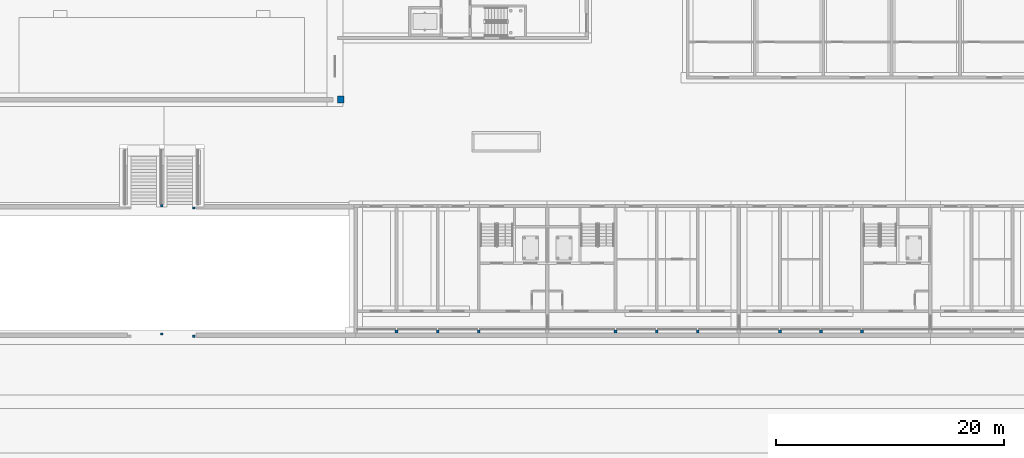
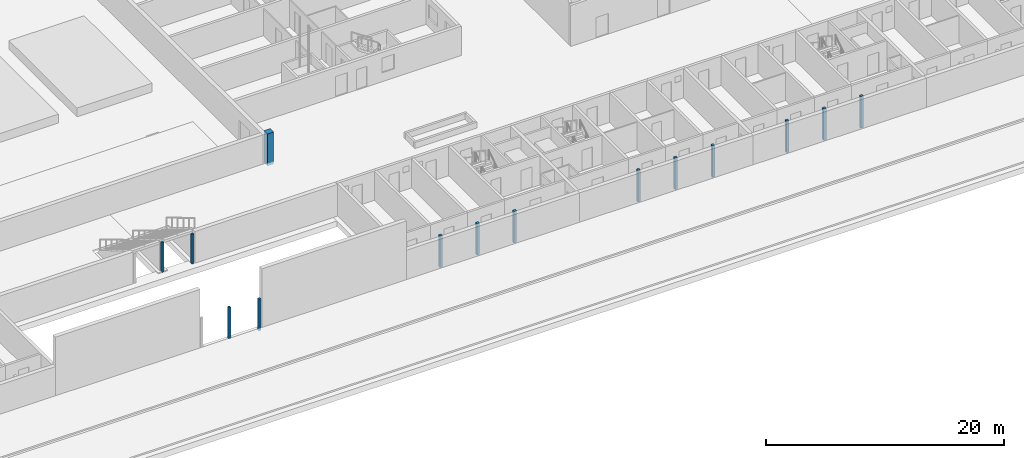
# One storey, part 12 of 112: 14 columns.
"""IFC4 building model written with IfcOpenShell, lengths in metres."""

from ifc_helpers import new_model, si_unit, direction, frame, origin, origin_2d, place, context, subcontext, project, spatial, rectangle, extrude, material, material_profile, profile_set, type_object, element, save


model = new_model("IFC4")

# Units and contexts
model_context = context("Model", 3, precision=1e-05, world=origin(), true_north=direction((0.0, 1.0)))
body_context = subcontext(model_context, "Body", "Model", "MODEL_VIEW")
ifc_project = project(units=[si_unit("LENGTHUNIT", "METRE"), si_unit("AREAUNIT", "SQUARE_METRE"), si_unit("VOLUMEUNIT", "CUBIC_METRE"), si_unit("PLANEANGLEUNIT", "RADIAN"), si_unit("MASSUNIT", "GRAM", prefix="KILO")], contexts=[model_context])

# Site, building, storey
site_placement = place(None, origin())
site = spatial("IfcSite", under=ifc_project, at=site_placement, CompositionType="ELEMENT")
building_placement = place(site_placement, origin())
building = spatial("IfcBuilding", under=site, at=building_placement, Name="Ridgestep Commons", CompositionType="ELEMENT")
storey_placement = place(building_placement, origin())
storey = spatial("IfcBuildingStorey", under=building, at=storey_placement, Name="L00", CompositionType="ELEMENT", Elevation=0.0)

# Columns
ifc_material_1 = material(Name="Precast concrete C40/50", Category="concrete")
ifc_material_profile_1 = material_profile(ifc_material_1, rectangle(XDim=0.60009765625, YDim=0.60009765625, at=origin_2d()), Name="Buttress pier 600 x 600")
ifc_profile_set_1 = profile_set([ifc_material_profile_1], Name="Precast concrete C40/50")
column_type_1 = type_object("IfcColumnType", Name="Buttress pier 600 x 600", PredefinedType="COLUMN", material=ifc_profile_set_1)
column_placement = place(storey_placement, frame((145.5, 32.199951171875, -0.25), z_axis=(0.0, 0.0, 1.0), x_axis=(1.0, 0.0, 0.0)))
element("IfcColumn", 1, at=column_placement, inside=storey, type_object=column_type_1, Name="Hall vault buttress pier", PredefinedType="COLUMN", context=body_context, shape_type="SweptSolid", body=[
    extrude(rectangle(XDim=0.60009765625, YDim=0.60009765625, at=origin_2d()), origin(), (0.0, 0.0, 1.0), 3.25),
])
ifc_material_2 = material(Name="Precast concrete C40/50", Category="concrete")
ifc_material_profile_2 = material_profile(ifc_material_2, rectangle(XDim=0.199951171875, YDim=0.199951171875, at=origin_2d()), Name="Community landing post 200")
ifc_profile_set_2 = profile_set([ifc_material_profile_2], Name="Precast concrete C40/50")
column_type_2 = type_object("IfcColumnType", Name="Community landing post 200", PredefinedType="COLUMN", material=ifc_profile_set_2)
for number, where, z_axis, x_axis, name in (
    (2, (132.60009765625, 22.699951171875, -0.25), (0.0, 0.0, 1.0), (1.0, 0.0, 0.0), "Landing post"),
    (3, (129.800048828125, 22.89990234375, -0.25), (0.0, 0.0, 1.0), (1.0, 0.0, 0.0), "Landing post"),
):
    element("IfcColumn", number, at=place(storey_placement, frame(where, z_axis=z_axis, x_axis=x_axis)), inside=storey, type_object=column_type_2, Name=name, PredefinedType="COLUMN", context=body_context, shape_type="SweptSolid", body=[
        extrude(rectangle(XDim=0.199951171875, YDim=0.199951171875, at=origin_2d()), origin(), (0.0, 0.0, 1.0), 3.050048828125),
    ])
for number, where, z_axis, x_axis, name in (
    (4, (132.60009765625, 11.449951171875, -0.25), (0.0, 0.0, 1.0), (1.0, 0.0, 0.0), "Landing post"),
    (5, (129.800048828125, 11.64990234375, -0.25), (0.0, 0.0, 1.0), (1.0, 0.0, 0.0), "Landing post"),
):
    element("IfcColumn", number, at=place(storey_placement, frame(where, z_axis=z_axis, x_axis=x_axis)), inside=storey, type_object=column_type_2, Name=name, PredefinedType="COLUMN", context=body_context, shape_type="SweptSolid", body=[
        extrude(rectangle(XDim=0.199951171875, YDim=0.199951171875, at=origin_2d()), origin(), (0.0, 0.0, 1.0), 3.25),
    ])
ifc_material_3 = material(Name="Precast concrete C40/50", Category="concrete")
ifc_material_profile_3 = material_profile(ifc_material_3, rectangle(XDim=0.25, YDim=0.25, at=origin_2d()), Name="PC 250x250")
ifc_profile_set_3 = profile_set([ifc_material_profile_3], Name="Precast concrete C40/50")
column_type_3 = type_object("IfcColumnType", Name="Loggia column 250 x 250", PredefinedType="COLUMN", material=ifc_profile_set_3)
for number, where, z_axis, x_axis, name in (
    (6, (150.39990234375, 11.875, -0.25), (0.0, 0.0, 1.0), (1.0, 0.0, 0.0), "Loggia column D L00"),
    (7, (154.0, 11.875, -0.25), (0.0, 0.0, 1.0), (1.0, 0.0, 0.0), "Loggia column D L00"),
    (8, (157.60009765625, 11.875, -0.25), (0.0, 0.0, 1.0), (1.0, 0.0, 0.0), "Loggia column D L00"),
    (9, (169.60009765625, 11.875, -0.25), (0.0, 0.0, 1.0), (1.0, 0.0, 0.0), "Loggia column D L00"),
    (10, (173.199951171875, 11.875, -0.25), (0.0, 0.0, 1.0), (1.0, 0.0, 0.0), "Loggia column D L00"),
    (11, (176.800048828125, 11.875, -0.25), (0.0, 0.0, 1.0), (1.0, 0.0, 0.0), "Loggia column D L00"),
    (12, (184.0, 11.875, -0.25), (0.0, 0.0, 1.0), (1.0, 0.0, 0.0), "Loggia column D L00"),
    (13, (187.60009765625, 11.875, -0.25), (0.0, 0.0, 1.0), (1.0, 0.0, 0.0), "Loggia column D L00"),
    (14, (191.199951171875, 11.875, -0.25), (0.0, 0.0, 1.0), (1.0, 0.0, 0.0), "Loggia column D L00"),
):
    element("IfcColumn", number, at=place(storey_placement, frame(where, z_axis=z_axis, x_axis=x_axis)), inside=storey, type_object=column_type_3, Name=name, PredefinedType="COLUMN", context=body_context, shape_type="SweptSolid", body=[
        extrude(rectangle(XDim=0.25, YDim=0.25, at=origin_2d()), origin(), (0.0, 0.0, 1.0), 3.25),
    ])

save(model, "model.ifc")
